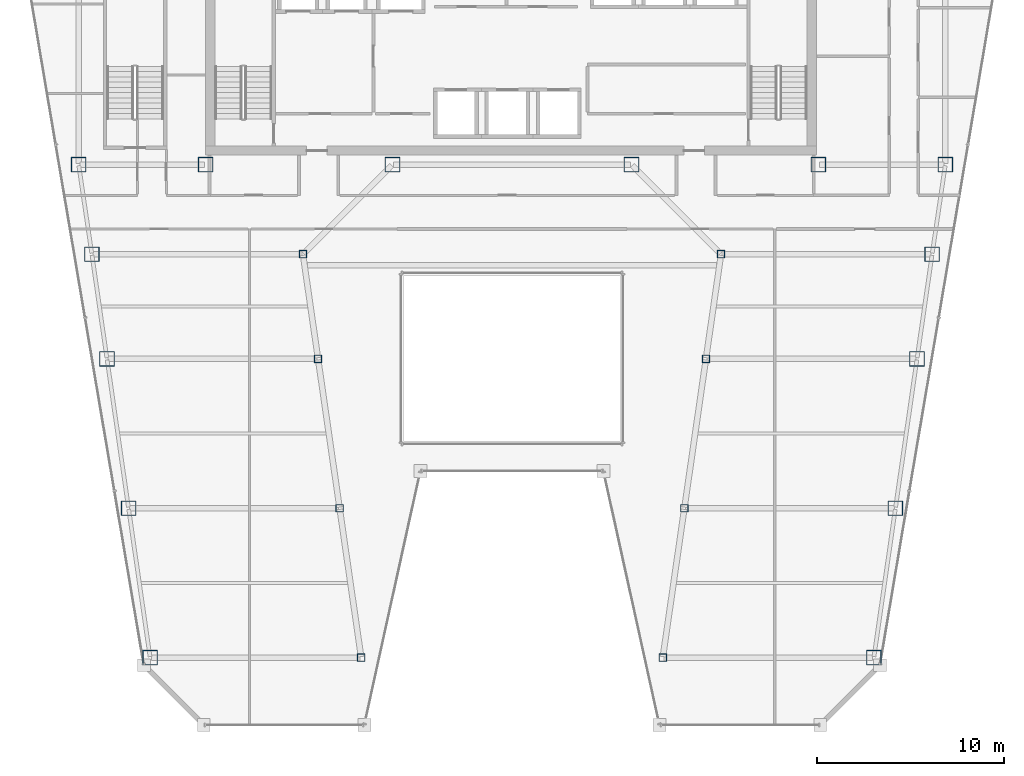
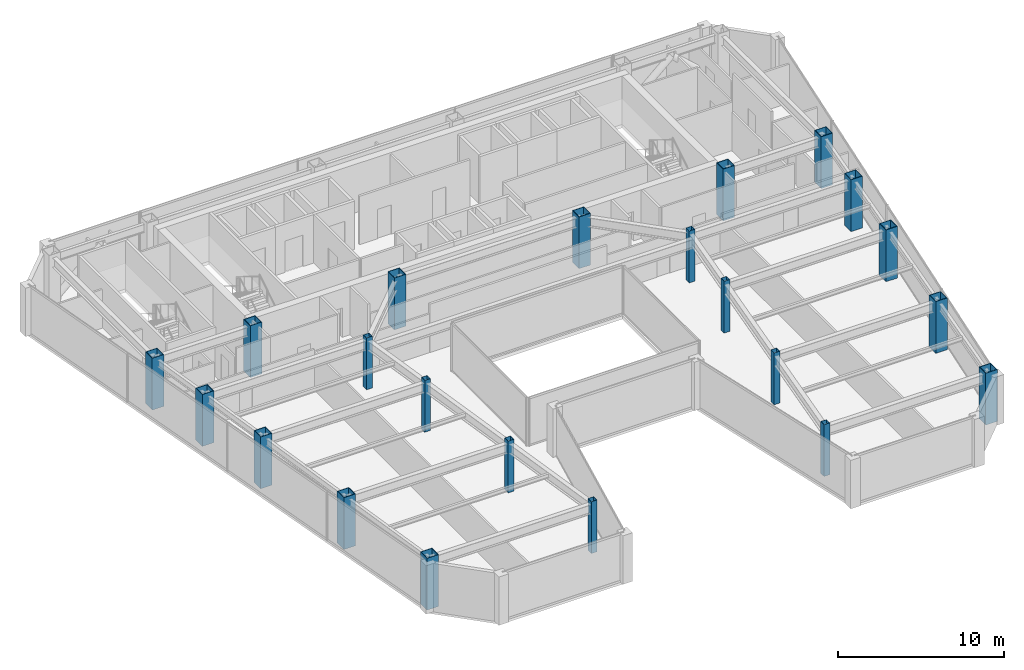
# One storey, part 1 of 35: 22 columns.
"""IFC4 building model written with IfcOpenShell, lengths in metres."""

from ifc_helpers import new_model, si_unit, direction, frame, origin, origin_2d, place, context, subcontext, project, spatial, hollow_rectangle, extrude, material, material_profile, profile_set, type_object, element, save


model = new_model("IFC4")

# Units and contexts
model_context = context("Model", 3, precision=1e-05, world=origin(), true_north=direction((0.0, 1.0)))
body_context = subcontext(model_context, "Body", "Model", "MODEL_VIEW")
ifc_project = project(units=[si_unit("LENGTHUNIT", "METRE"), si_unit("AREAUNIT", "SQUARE_METRE"), si_unit("VOLUMEUNIT", "CUBIC_METRE"), si_unit("PLANEANGLEUNIT", "RADIAN"), si_unit("MASSUNIT", "GRAM", prefix="KILO")], contexts=[model_context])

# Site, building, storey
site_placement = place(None, origin())
site = spatial("IfcSite", under=ifc_project, at=site_placement, CompositionType="ELEMENT")
building_placement = place(site_placement, origin())
building = spatial("IfcBuilding", under=site, at=building_placement, Name="Saevonmaru Cultural Tower", CompositionType="ELEMENT")
storey_placement = place(building_placement, frame((0.0, 0.0, 213.199951171875)))
storey = spatial("IfcBuildingStorey", under=building, at=storey_placement, Name="L49", CompositionType="ELEMENT", Elevation=213.199951171875)

# Columns
ifc_material_1 = material(Name="Steel SM420", Category="steel")
ifc_material_profile_1 = material_profile(ifc_material_1, hollow_rectangle(XDim=0.800048828125, YDim=0.800048828125, WallThickness=0.035888671875, at=origin_2d()), Name="BOX-800x800x36")
ifc_profile_set_1 = profile_set([ifc_material_profile_1], Name="Steel SM420")
column_type_1 = type_object("IfcColumnType", Name="COL-BOX-800", PredefinedType="COLUMN", material=ifc_profile_set_1)
for number, where, z_axis, x_axis, name in (
    (1, (6.800048828125, 42.39990234375, 0.0), (0.0, 0.0, 1.0), (1.0, 0.0, 0.0), "L49 Column TC-S1C"),
    (2, (13.60009765625, 42.39990234375, 0.0), (0.0, 0.0, 1.0), (1.0, 0.0, 0.0), "L49 Column TC-S2C"),
    (3, (23.60009765625, 42.39990234375, 0.0), (0.0, 0.0, 1.0), (1.0, 0.0, 0.0), "L49 Column TC-S3C"),
    (4, (36.39990234375, 42.39990234375, 0.0), (0.0, 0.0, 1.0), (1.0, 0.0, 0.0), "L49 Column TC-S4C"),
    (5, (46.39990234375, 42.39990234375, 0.0), (0.0, 0.0, 1.0), (1.0, 0.0, 0.0), "L49 Column TC-S5C"),
    (6, (53.199951171875, 42.39990234375, 0.0), (0.0, 0.0, 1.0), (1.0, 0.0, 0.0), "L49 Column TC-S6C"),
    (7, (10.6279296875, 16.0, 0.0), (0.0, 0.0, 1.0), (1.0, 0.0, 0.0), "L49 Column TC-WO-Y160"),
    (8, (49.3720703125, 16.0, 0.0), (0.0, 0.0, 1.0), (1.0, 0.0, 0.0), "L49 Column TC-EO-Y160"),
    (9, (9.471923828125, 24.0, 0.0), (0.0, 0.0, 1.0), (1.0, 0.0, 0.0), "L49 Column TC-WO-Y240"),
    (10, (50.528076171875, 24.0, 0.0), (0.0, 0.0, 1.0), (1.0, 0.0, 0.0), "L49 Column TC-EO-Y240"),
    (11, (8.31689453125, 32.0, 0.0), (0.0, 0.0, 1.0), (1.0, 0.0, 0.0), "L49 Column TC-WO-Y320"),
    (12, (51.68310546875, 32.0, 0.0), (0.0, 0.0, 1.0), (1.0, 0.0, 0.0), "L49 Column TC-EO-Y320"),
    (13, (7.508056640625, 37.60009765625, 0.0), (0.0, 0.0, 1.0), (1.0, 0.0, 0.0), "L49 Column TC-WO-Y376"),
    (14, (52.491943359375, 37.60009765625, 0.0), (0.0, 0.0, 1.0), (1.0, 0.0, 0.0), "L49 Column TC-EO-Y376"),
):
    element("IfcColumn", number, at=place(storey_placement, frame(where, z_axis=z_axis, x_axis=x_axis)), inside=storey, type_object=column_type_1, Name=name, PredefinedType="COLUMN", context=body_context, shape_type="SweptSolid", body=[
        extrude(hollow_rectangle(XDim=0.800048828125, YDim=0.800048828125, WallThickness=0.035888671875, at=origin_2d()), origin(), (0.0, 0.0, 1.0), 3.800048828125),
    ])
ifc_material_2 = material(Name="Steel SM355", Category="steel")
ifc_material_profile_2 = material_profile(ifc_material_2, hollow_rectangle(XDim=0.39990234375, YDim=0.39990234375, WallThickness=0.01611328125, at=origin_2d()), Name="SHS-400x400x16")
ifc_profile_set_2 = profile_set([ifc_material_profile_2], Name="Steel SM355")
column_type_2 = type_object("IfcColumnType", Name="COL-SHS-400", PredefinedType="COLUMN", material=ifc_profile_set_2)
for number, where, z_axis, x_axis, name in (
    (15, (21.927978515625, 16.0, 0.0), (0.0, 0.0, 1.0), (1.0, 0.0, 0.0), "L49 Column TC-WI-Y160"),
    (16, (38.072021484375, 16.0, 0.0), (0.0, 0.0, 1.0), (1.0, 0.0, 0.0), "L49 Column TC-EI-Y160"),
    (17, (20.77197265625, 24.0, 0.0), (0.0, 0.0, 1.0), (1.0, 0.0, 0.0), "L49 Column TC-WI-Y240"),
    (18, (39.22802734375, 24.0, 0.0), (0.0, 0.0, 1.0), (1.0, 0.0, 0.0), "L49 Column TC-EI-Y240"),
    (19, (19.616943359375, 32.0, 0.0), (0.0, 0.0, 1.0), (1.0, 0.0, 0.0), "L49 Column TC-WI-Y320"),
    (20, (40.383056640625, 32.0, 0.0), (0.0, 0.0, 1.0), (1.0, 0.0, 0.0), "L49 Column TC-EI-Y320"),
    (21, (18.80810546875, 37.60009765625, 0.0), (0.0, 0.0, 1.0), (1.0, 0.0, 0.0), "L49 Column TC-WI-Y376"),
    (22, (41.19189453125, 37.60009765625, 0.0), (0.0, 0.0, 1.0), (1.0, 0.0, 0.0), "L49 Column TC-EI-Y376"),
):
    element("IfcColumn", number, at=place(storey_placement, frame(where, z_axis=z_axis, x_axis=x_axis)), inside=storey, type_object=column_type_2, Name=name, PredefinedType="COLUMN", context=body_context, shape_type="SweptSolid", body=[
        extrude(hollow_rectangle(XDim=0.39990234375, YDim=0.39990234375, WallThickness=0.01611328125, at=origin_2d()), origin(), (0.0, 0.0, 1.0), 3.800048828125),
    ])

save(model, "model.ifc")
